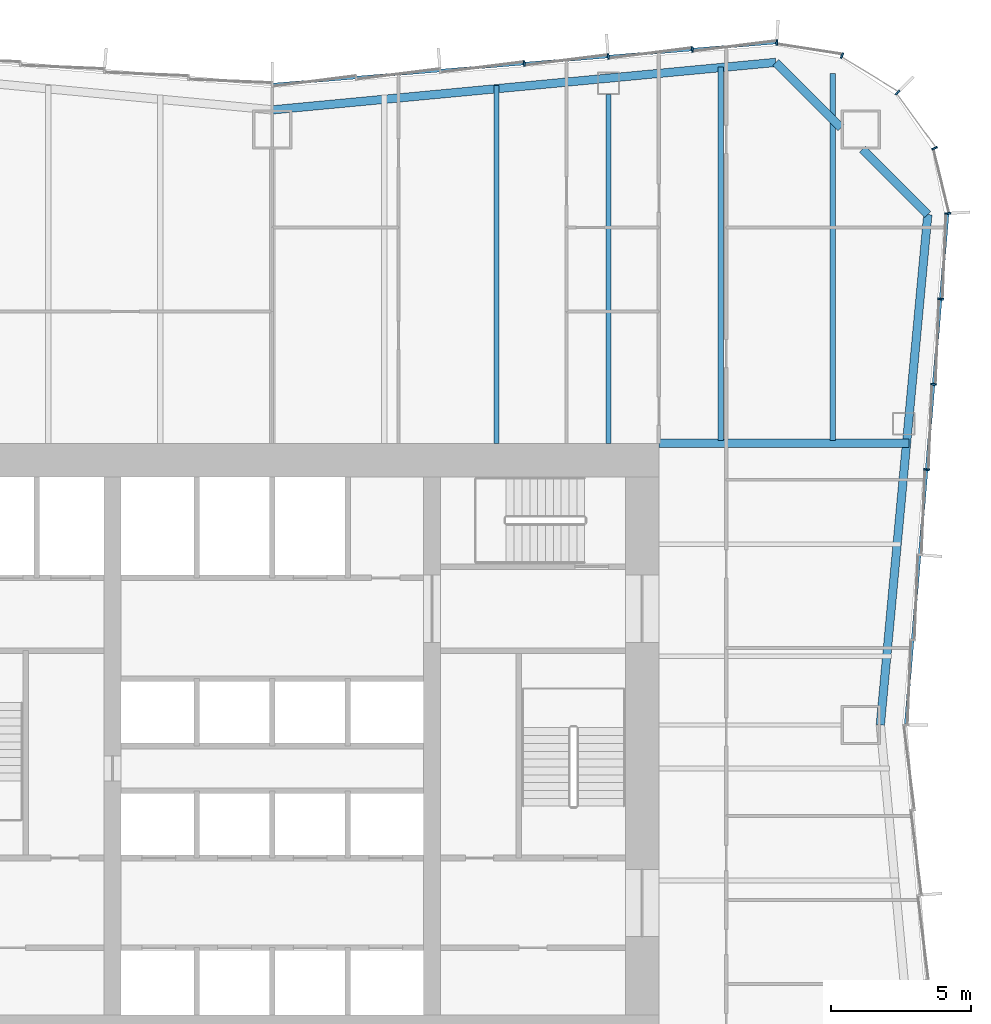
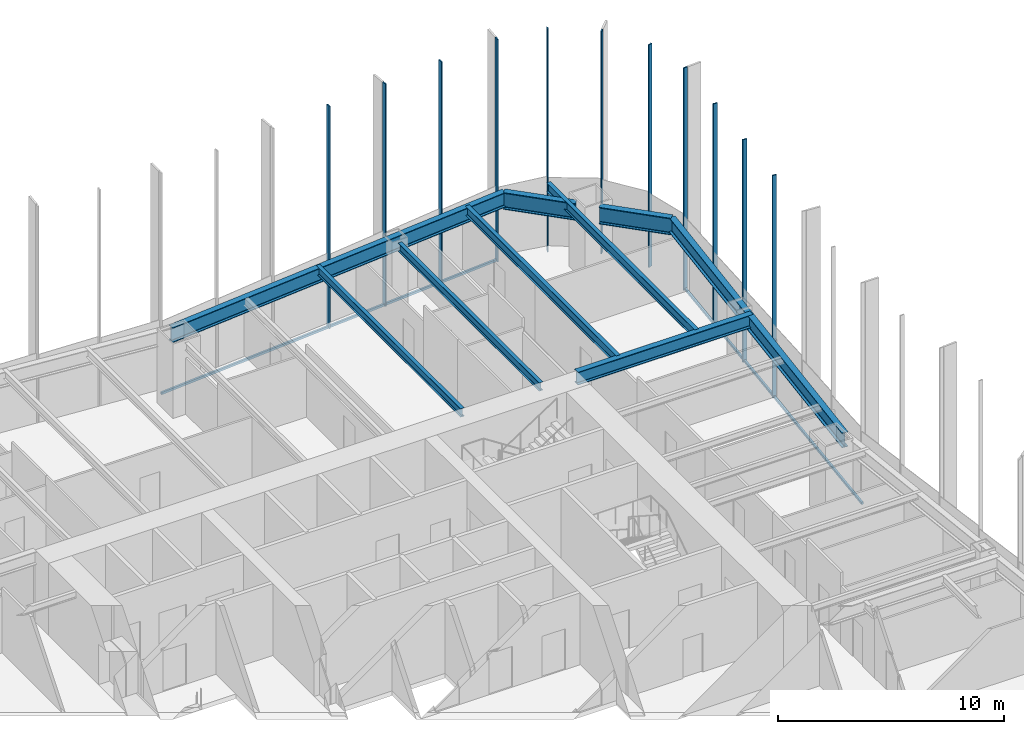
# One storey, part 6 of 13: 13 members, 9 beams, 3 elements without a shape of their own.
"""IFC4 building model written with IfcOpenShell, lengths in metres."""

from ifc_helpers import new_model, si_unit, direction, frame, origin, origin_2d, place, context, subcontext, project, spatial, rectangle, i_section, extrude, material, material_profile, profile_set, type_object, element, aggregate, save


model = new_model("IFC4")

# Units and contexts
model_context = context("Model", 3, precision=1e-05, world=origin(), true_north=direction((0.0, 1.0)))
body_context = subcontext(model_context, "Body", "Model", "MODEL_VIEW")
ifc_project = project(units=[si_unit("LENGTHUNIT", "METRE"), si_unit("AREAUNIT", "SQUARE_METRE"), si_unit("VOLUMEUNIT", "CUBIC_METRE"), si_unit("PLANEANGLEUNIT", "RADIAN"), si_unit("MASSUNIT", "GRAM", prefix="KILO")], contexts=[model_context])

# Site, building, storey
site_placement = place(None, origin())
site = spatial("IfcSite", under=ifc_project, at=site_placement, CompositionType="ELEMENT")
building_placement = place(site_placement, origin())
building = spatial("IfcBuilding", under=site, at=building_placement, Name="Verdant Reach Tower", CompositionType="ELEMENT")
storey_placement = place(building_placement, frame((0.0, 0.0, 82.0)))
storey = spatial("IfcBuildingStorey", under=building, at=storey_placement, Name="L18", CompositionType="ELEMENT", Elevation=82.0)

# Curtain wall, members
ifc_material_1 = material(Name="Anodised aluminium", Category="aluminium")
curtain_wall_type = type_object("IfcCurtainWallType", Name="EN-CW SYSTEM Z1", PredefinedType="NOTDEFINED", material=ifc_material_1)
curtain_wall_1_placement = place(storey_placement, origin())
curtain_wall_1 = element("IfcCurtainWall", 1, at=curtain_wall_1_placement, inside=storey, type_object=curtain_wall_type, Name="Curtain wall east, L18", PredefinedType="NOTDEFINED")
ifc_material_profile_1 = material_profile(ifc_material_1, rectangle(XDim=0.2060546875, YDim=0.06201171875, at=origin_2d()), Name="Mullion 62x206")
ifc_profile_set_1 = profile_set([ifc_material_profile_1], Name="Anodised aluminium")
member_type_1 = type_object("IfcMemberType", Name="EN-MULLION Z1", PredefinedType="MULLION", material=ifc_profile_set_1)
member_1_placement = place(storey_placement, frame((23.3525390625, 37.866455078125, -0.35009765625), z_axis=(0.0, 0.0, 1.0), x_axis=(0.996639273542, -0.081915556724, 0.0)))
member_1 = element("IfcMember", 2, at=member_1_placement, type_object=member_type_1, Name="Mullion east face part 2 4, L18", PredefinedType="MULLION", context=body_context, shape_type="SweptSolid", body=[
    extrude(rectangle(XDim=0.2060546875, YDim=0.06201171875, at=origin_2d()), origin(), (0.0, 0.0, 1.0), 12.0),
])
member_2_placement = place(storey_placement, frame((23.6025390625, 40.908203125, -0.35009765625), z_axis=(0.0, 0.0, 1.0), x_axis=(0.996639273542, -0.081915556724, 0.0)))
member_2 = element("IfcMember", 3, at=member_2_placement, type_object=member_type_1, Name="Mullion east face part 2 5, L18", PredefinedType="MULLION", context=body_context, shape_type="SweptSolid", body=[
    extrude(rectangle(XDim=0.2060546875, YDim=0.06201171875, at=origin_2d()), origin(), (0.0, 0.0, 1.0), 12.0),
])
member_3_placement = place(storey_placement, frame((23.8525390625, 43.949951171875, -0.35009765625), z_axis=(0.0, 0.0, 1.0), x_axis=(0.996639273542, -0.081915556724, 0.0)))
member_3 = element("IfcMember", 4, at=member_3_placement, type_object=member_type_1, Name="Mullion east face part 2 6, L18", PredefinedType="MULLION", context=body_context, shape_type="SweptSolid", body=[
    extrude(rectangle(XDim=0.2060546875, YDim=0.06201171875, at=origin_2d()), origin(), (0.0, 0.0, 1.0), 12.0),
])

curtain_wall_2_placement = place(storey_placement, origin())
curtain_wall_2 = element("IfcCurtainWall", 5, at=curtain_wall_2_placement, inside=storey, type_object=curtain_wall_type, Name="Curtain wall north-east corner, L18", PredefinedType="NOTDEFINED")
member_4_placement = place(storey_placement, frame((24.102783203125, 47.005859375, -0.35009765625), z_axis=(0.0, 0.0, 1.0), x_axis=(0.998366452275, 0.057135164055, 0.0)))
member_4 = element("IfcMember", 6, at=member_4_placement, type_object=member_type_1, Name="Mullion north-east corner 1, L18", PredefinedType="MULLION", context=body_context, shape_type="SweptSolid", body=[
    extrude(rectangle(XDim=0.2060546875, YDim=0.06201171875, at=origin_2d()), origin(), (0.0, 0.0, 1.0), 12.0),
])
member_5_placement = place(storey_placement, frame((23.638427734375, 49.33544921875, -0.35009765625), z_axis=(0.0, 0.0, 1.0), x_axis=(0.923875215753, 0.382693853776, 0.0)))
member_5 = element("IfcMember", 7, at=member_5_placement, type_object=member_type_1, Name="Mullion north-east corner 2, L18", PredefinedType="MULLION", context=body_context, shape_type="SweptSolid", body=[
    extrude(rectangle(XDim=0.2060546875, YDim=0.06201171875, at=origin_2d()), origin(), (0.0, 0.0, 1.0), 12.0),
])
member_6_placement = place(storey_placement, frame((22.3154296875, 51.3154296875, -0.35009765625), z_axis=(0.0, 0.0, 1.0), x_axis=(0.707106781187, 0.707106781187, 0.0)))
member_6 = element("IfcMember", 8, at=member_6_placement, type_object=member_type_1, Name="Mullion north-east corner 3, L18", PredefinedType="MULLION", context=body_context, shape_type="SweptSolid", body=[
    extrude(rectangle(XDim=0.2060546875, YDim=0.06201171875, at=origin_2d()), origin(), (0.0, 0.0, 1.0), 12.0),
])
member_7_placement = place(storey_placement, frame((20.33544921875, 52.638427734375, -0.35009765625), z_axis=(0.0, 0.0, 1.0), x_axis=(0.382693853776, 0.923875215753, 0.0)))
member_7 = element("IfcMember", 9, at=member_7_placement, type_object=member_type_1, Name="Mullion north-east corner 4, L18", PredefinedType="MULLION", context=body_context, shape_type="SweptSolid", body=[
    extrude(rectangle(XDim=0.2060546875, YDim=0.06201171875, at=origin_2d()), origin(), (0.0, 0.0, 1.0), 12.0),
])
aggregate(curtain_wall_2, [member_4, member_5, member_6, member_7])

curtain_wall_3_placement = place(storey_placement, origin())
curtain_wall_3 = element("IfcCurtainWall", 10, at=curtain_wall_3_placement, inside=storey, type_object=curtain_wall_type, Name="Curtain wall north, L18", PredefinedType="NOTDEFINED")
member_8_placement = place(storey_placement, frame((18.005859375, 53.102783203125, -0.35009765625), z_axis=(0.0, 0.0, 1.0), x_axis=(0.056569187765, 0.998398681387, 0.0)))
member_8 = element("IfcMember", 11, at=member_8_placement, type_object=member_type_1, Name="Mullion north face part 1 1, L18", PredefinedType="MULLION", context=body_context, shape_type="SweptSolid", body=[
    extrude(rectangle(XDim=0.2060546875, YDim=0.06201171875, at=origin_2d()), origin(), (0.0, 0.0, 1.0), 12.0),
])
member_9_placement = place(storey_placement, frame((14.991455078125, 52.8525390625, -0.35009765625), z_axis=(0.0, 0.0, 1.0), x_axis=(-0.083045479859, 0.996545758244, 0.0)))
member_9 = element("IfcMember", 12, at=member_9_placement, type_object=member_type_1, Name="Mullion north face part 1 2, L18", PredefinedType="MULLION", context=body_context, shape_type="SweptSolid", body=[
    extrude(rectangle(XDim=0.2060546875, YDim=0.06201171875, at=origin_2d()), origin(), (0.0, 0.0, 1.0), 12.0),
])
member_10_placement = place(storey_placement, frame((11.991455078125, 52.6025390625, -0.35009765625), z_axis=(0.0, 0.0, 1.0), x_axis=(-0.083045479859, 0.996545758244, 0.0)))
member_10 = element("IfcMember", 13, at=member_10_placement, type_object=member_type_1, Name="Mullion north face part 1 3, L18", PredefinedType="MULLION", context=body_context, shape_type="SweptSolid", body=[
    extrude(rectangle(XDim=0.2060546875, YDim=0.06201171875, at=origin_2d()), origin(), (0.0, 0.0, 1.0), 12.0),
])
member_11_placement = place(storey_placement, frame((8.991455078125, 52.3525390625, -0.35009765625), z_axis=(0.0, 0.0, 1.0), x_axis=(-0.083045479859, 0.996545758244, 0.0)))
member_11 = element("IfcMember", 14, at=member_11_placement, type_object=member_type_1, Name="Mullion north face part 1 4, L18", PredefinedType="MULLION", context=body_context, shape_type="SweptSolid", body=[
    extrude(rectangle(XDim=0.2060546875, YDim=0.06201171875, at=origin_2d()), origin(), (0.0, 0.0, 1.0), 12.0),
])

# Member
ifc_material_profile_2 = material_profile(ifc_material_1, rectangle(XDim=0.10009765625, YDim=0.1220703125, at=origin_2d()), Name="Transom 122x100")
ifc_profile_set_2 = profile_set([ifc_material_profile_2], Name="Anodised aluminium")
member_type_2 = type_object("IfcMemberType", Name="EN-TRANSOM Z1", PredefinedType="USERDEFINED", material=ifc_profile_set_2)
member_12_placement = place(storey_placement, frame((22.60546875, 28.781005859375, -0.2890625), z_axis=(0.081886623329, 0.996641651207, 0.0), x_axis=(-0.996641651207, 0.081886623329, 0.0)))
member_12 = element("IfcMember", 15, at=member_12_placement, type_object=member_type_2, Name="Transom east face part 2 1.1, L18", ObjectType="TRANSOM", PredefinedType="USERDEFINED", context=body_context, shape_type="SweptSolid", body=[
    extrude(rectangle(XDim=0.10009765625, YDim=0.1220703125, at=origin_2d()), origin(), (0.0, 0.0, 1.0), 18.25537109375),
])

aggregate(curtain_wall_1, [member_1, member_2, member_3, member_12])

member_13_placement = place(storey_placement, frame((17.974853515625, 53.100341796875, -0.2890625), z_axis=(-0.996547815143, -0.083020793384, 0.0), x_axis=(0.083020793384, -0.996547815143, 0.0)))
member_13 = element("IfcMember", 16, at=member_13_placement, type_object=member_type_2, Name="Transom north face part 1 1.1, L18", ObjectType="TRANSOM", PredefinedType="USERDEFINED", context=body_context, shape_type="SweptSolid", body=[
    extrude(rectangle(XDim=0.10009765625, YDim=0.1220703125, at=origin_2d()), origin(), (0.0, 0.0, 1.0), 18.006103515625),
])

aggregate(curtain_wall_3, [member_8, member_9, member_10, member_11, member_13])

# Beams
ifc_material_2 = material(Name="Steel S355", Category="steel")
ifc_material_profile_3 = material_profile(ifc_material_2, i_section(OverallWidth=0.300048828125, OverallDepth=0.699951171875, WebThickness=0.01708984375, FlangeThickness=0.031982421875, FilletRadius=0.027099609375, at=origin_2d()), Name="HEB 700")
ifc_profile_set_3 = profile_set([ifc_material_profile_3], Name="Steel S355")
beam_type_1 = type_object("IfcBeamType", Name="ST-BEAM-HEB700", PredefinedType="BEAM", material=ifc_profile_set_3)
beam_1_placement = place(storey_placement, frame((13.800048828125, 38.800048828125, 3.52001953125), z_axis=(1.0, 0.0, 0.0), x_axis=(0.0, 1.0, 0.0)))
element("IfcBeam", 17, at=beam_1_placement, inside=storey, type_object=beam_type_1, Name="Trimmer beam, L18", PredefinedType="BEAM", context=body_context, shape_type="SweptSolid", body=[
    extrude(i_section(OverallWidth=0.300048828125, OverallDepth=0.699951171875, WebThickness=0.01708984375, FlangeThickness=0.031982421875, FilletRadius=0.027099609375, at=origin_2d()), origin(), (0.0, 0.0, 1.0), 8.924072265625),
])
ifc_material_profile_4 = material_profile(ifc_material_2, i_section(OverallWidth=0.18994140625, OverallDepth=0.449951171875, WebThickness=0.009521484375, FlangeThickness=0.0146484375, FilletRadius=0.02099609375, at=origin_2d()), Name="IPE 450")
ifc_profile_set_4 = profile_set([ifc_material_profile_4], Name="Steel S355")
beam_type_2 = type_object("IfcBeamType", Name="ST-JOIST-IPE450", PredefinedType="JOIST", material=ifc_profile_set_4)
beam_2_placement = place(storey_placement, frame((8.0, 38.800048828125, 3.64501953125), z_axis=(0.0, 1.0, 0.0), x_axis=(-1.0, 0.0, 0.0)))
element("IfcBeam", 18, at=beam_2_placement, inside=storey, type_object=beam_type_2, Name="Floor joist, L18", PredefinedType="JOIST", context=body_context, shape_type="SweptSolid", body=[
    extrude(i_section(OverallWidth=0.18994140625, OverallDepth=0.449951171875, WebThickness=0.009521484375, FlangeThickness=0.0146484375, FilletRadius=0.02099609375, at=origin_2d()), origin(), (0.0, 0.0, 1.0), 12.7646484375),
])
beam_3_placement = place(storey_placement, frame((12.0, 38.800048828125, 3.64501953125), z_axis=(0.0, 1.0, 0.0), x_axis=(-1.0, 0.0, 0.0)))
element("IfcBeam", 19, at=beam_3_placement, inside=storey, type_object=beam_type_2, Name="Floor joist, L18", PredefinedType="JOIST", context=body_context, shape_type="SweptSolid", body=[
    extrude(i_section(OverallWidth=0.18994140625, OverallDepth=0.449951171875, WebThickness=0.009521484375, FlangeThickness=0.0146484375, FilletRadius=0.02099609375, at=origin_2d()), origin(), (0.0, 0.0, 1.0), 12.449951171875),
])
ifc_material_profile_5 = material_profile(ifc_material_2, i_section(OverallWidth=0.199951171875, OverallDepth=0.5, WebThickness=0.01025390625, FlangeThickness=0.01611328125, FilletRadius=0.02099609375, at=origin_2d()), Name="IPE 500")
ifc_profile_set_5 = profile_set([ifc_material_profile_5], Name="Steel S355")
beam_type_3 = type_object("IfcBeamType", Name="ST-JOIST-IPE500", PredefinedType="JOIST", material=ifc_profile_set_5)
beam_4_placement = place(storey_placement, frame((16.0, 38.89990234375, 3.6201171875), z_axis=(0.0, 1.0, 0.0), x_axis=(-1.0, 0.0, 0.0)))
element("IfcBeam", 20, at=beam_4_placement, inside=storey, type_object=beam_type_3, Name="Floor joist, L18", PredefinedType="JOIST", context=body_context, shape_type="SweptSolid", body=[
    extrude(i_section(OverallWidth=0.199951171875, OverallDepth=0.5, WebThickness=0.01025390625, FlangeThickness=0.01611328125, FilletRadius=0.02099609375, at=origin_2d()), origin(), (0.0, 0.0, 1.0), 13.331298828125),
])
beam_5_placement = place(storey_placement, frame((20.0, 38.89990234375, 3.6201171875), z_axis=(0.0, 1.0, 0.0), x_axis=(-1.0, 0.0, 0.0)))
element("IfcBeam", 21, at=beam_5_placement, inside=storey, type_object=beam_type_3, Name="Floor joist, L18", PredefinedType="JOIST", context=body_context, shape_type="SweptSolid", body=[
    extrude(i_section(OverallWidth=0.199951171875, OverallDepth=0.5, WebThickness=0.01025390625, FlangeThickness=0.01611328125, FilletRadius=0.02099609375, at=origin_2d()), origin(), (0.0, 0.0, 1.0), 13.090576171875),
])
ifc_material_profile_6 = material_profile(ifc_material_2, i_section(OverallWidth=0.300048828125, OverallDepth=0.800048828125, WebThickness=0.017578125, FlangeThickness=0.032958984375, FilletRadius=0.030029296875, at=origin_2d()), Name="HEB 800")
ifc_profile_set_6 = profile_set([ifc_material_profile_6], Name="Steel S355")
beam_type_4 = type_object("IfcBeamType", Name="ST-SPANDREL-HEB800", PredefinedType="SPANDREL", material=ifc_profile_set_6)
beam_6_placement = place(storey_placement, frame((0.0, 50.699951171875, 3.469970703125), z_axis=(0.995578571765, 0.093932462137, 0.0), x_axis=(-0.093932462137, 0.995578571765, 0.0)))
element("IfcBeam", 22, at=beam_6_placement, inside=storey, type_object=beam_type_4, Name="Edge beam, L18", PredefinedType="SPANDREL", context=body_context, shape_type="SweptSolid", body=[
    extrude(i_section(OverallWidth=0.300048828125, OverallDepth=0.800048828125, WebThickness=0.017578125, FlangeThickness=0.032958984375, FilletRadius=0.030029296875, at=origin_2d()), origin(), (0.0, 0.0, 1.0), 18.045654296875),
])
beam_7_placement = place(storey_placement, frame((23.39501953125, 46.96533203125, 3.469970703125), z_axis=(-0.092656907618, -0.995698095544, 0.0), x_axis=(0.995698095544, -0.092656907618, 0.0)))
element("IfcBeam", 23, at=beam_7_placement, inside=storey, type_object=beam_type_4, Name="Edge beam, L18", PredefinedType="SPANDREL", context=body_context, shape_type="SweptSolid", body=[
    extrude(i_section(OverallWidth=0.300048828125, OverallDepth=0.800048828125, WebThickness=0.017578125, FlangeThickness=0.032958984375, FilletRadius=0.030029296875, at=origin_2d()), origin(), (0.0, 0.0, 1.0), 18.2939453125),
])
ifc_material_profile_7 = material_profile(ifc_material_2, i_section(OverallWidth=0.302001953125, OverallDepth=0.909912109375, WebThickness=0.02099609375, FlangeThickness=0.0400390625, FilletRadius=0.030029296875, at=origin_2d()), Name="HEM 900")
ifc_profile_set_7 = profile_set([ifc_material_profile_7], Name="Steel S355")
beam_type_5 = type_object("IfcBeamType", Name="ST-SPANDREL-HEM900", PredefinedType="SPANDREL", material=ifc_profile_set_7)
beam_8_placement = place(storey_placement, frame((17.9658203125, 52.39501953125, 3.4150390625), z_axis=(0.707106781187, -0.707106781187, 0.0), x_axis=(0.707106781187, 0.707106781187, 0.0)))
element("IfcBeam", 24, at=beam_8_placement, inside=storey, type_object=beam_type_5, Name="Edge beam, L18", PredefinedType="SPANDREL", context=body_context, shape_type="SweptSolid", body=[
    extrude(i_section(OverallWidth=0.302001953125, OverallDepth=0.909912109375, WebThickness=0.02099609375, FlangeThickness=0.0400390625, FilletRadius=0.030029296875, at=origin_2d()), origin(), (0.0, 0.0, 1.0), 3.301025390625),
])
beam_9_placement = place(storey_placement, frame((21.060546875, 49.300048828125, 3.4150390625), z_axis=(0.707069807316, -0.707143753123, 0.0), x_axis=(0.707143753123, 0.707069807316, 0.0)))
element("IfcBeam", 25, at=beam_9_placement, inside=storey, type_object=beam_type_5, Name="Edge beam, L18", PredefinedType="SPANDREL", context=body_context, shape_type="SweptSolid", body=[
    extrude(i_section(OverallWidth=0.302001953125, OverallDepth=0.909912109375, WebThickness=0.02099609375, FlangeThickness=0.0400390625, FilletRadius=0.030029296875, at=origin_2d()), origin(), (0.0, 0.0, 1.0), 3.301513671875),
])

save(model, "model.ifc")
